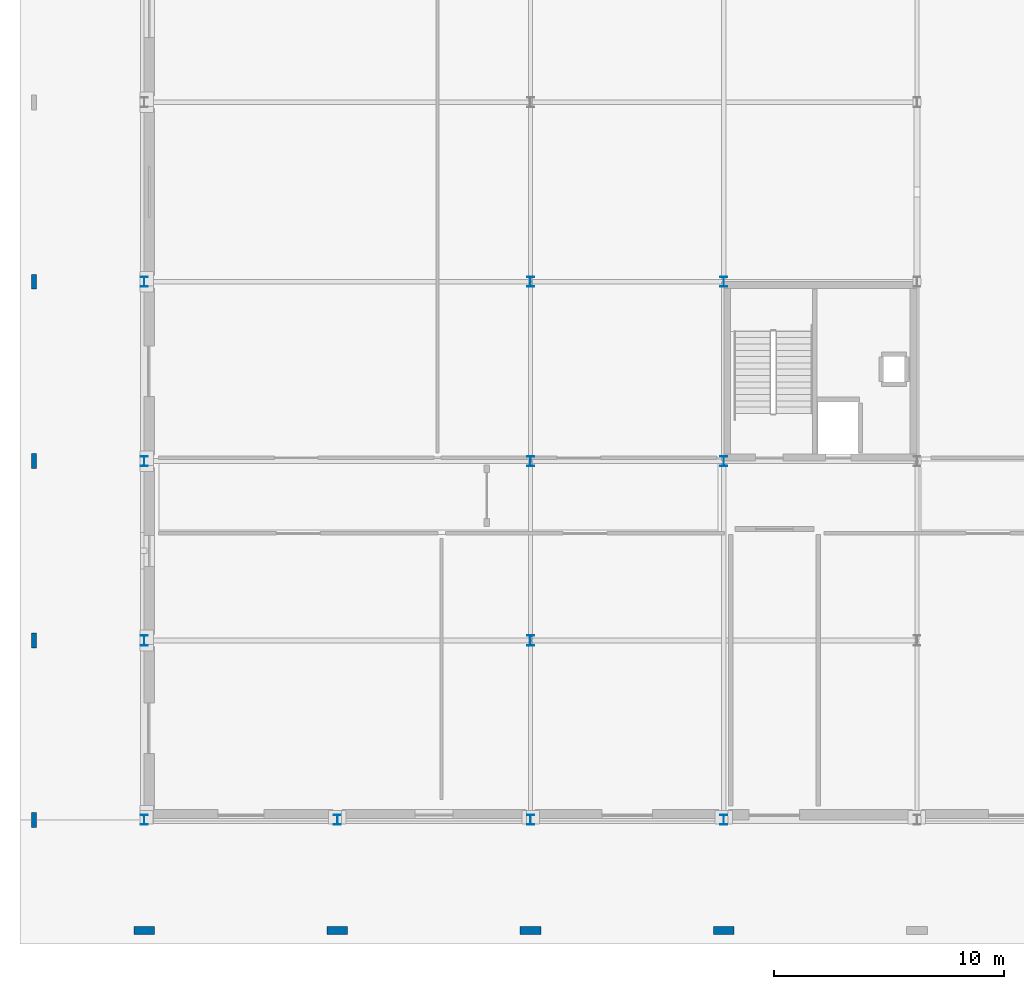
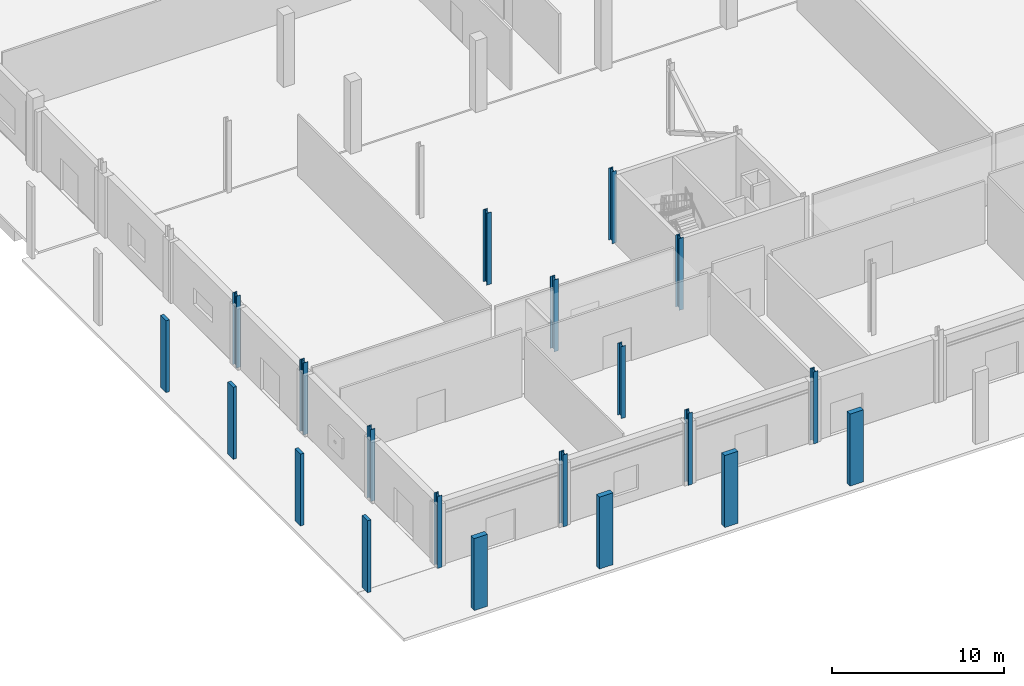
# One storey, part 2 of 80: 20 columns.
"""IFC4 building model written with IfcOpenShell, lengths in metres."""

from ifc_helpers import new_model, si_unit, direction, frame, origin, origin_2d, place, context, subcontext, project, spatial, rectangle, i_section, extrude, material, material_profile, profile_set, type_object, element, save


model = new_model("IFC4")

# Units and contexts
model_context = context("Model", 3, precision=1e-05, world=origin(), true_north=direction((0.0, 1.0)))
body_context = subcontext(model_context, "Body", "Model", "MODEL_VIEW")
ifc_project = project(units=[si_unit("LENGTHUNIT", "METRE"), si_unit("AREAUNIT", "SQUARE_METRE"), si_unit("VOLUMEUNIT", "CUBIC_METRE"), si_unit("PLANEANGLEUNIT", "RADIAN"), si_unit("MASSUNIT", "GRAM", prefix="KILO")], contexts=[model_context])

# Site, building, storey
site_placement = place(None, origin())
site = spatial("IfcSite", under=ifc_project, at=site_placement, CompositionType="ELEMENT")
building_placement = place(site_placement, origin())
building = spatial("IfcBuilding", under=site, at=building_placement, Name="Nabrawat Pavilion Hospital", CompositionType="ELEMENT")
storey_placement = place(building_placement, origin())
storey = spatial("IfcBuildingStorey", under=building, at=storey_placement, Name="L00", CompositionType="ELEMENT", Elevation=0.0)

# Columns
ifc_material_1 = material(Name="Precast concrete C40/50", Category="concrete")
ifc_material_profile_1 = material_profile(ifc_material_1, rectangle(XDim=0.219970703125, YDim=0.64990234375, at=origin_2d()), Name="PC 220x650")
ifc_profile_set_1 = profile_set([ifc_material_profile_1], Name="Precast concrete C40/50")
column_type_1 = type_object("IfcColumnType", Name="Ambulance Canopy Precast Pilaster 220x650", PredefinedType="PILASTER", material=ifc_profile_set_1)
for number, where, z_axis, x_axis, name in (
    (1, (-4.800048828125, 0.0, 0.0), (0.0, 0.0, 1.0), (1.0, 0.0, 0.0), "L00 Colonnade Precast Pilaster PIL-W-A"),
    (2, (-4.800048828125, 7.800048828125, 0.0), (0.0, 0.0, 1.0), (1.0, 0.0, 0.0), "L00 Colonnade Precast Pilaster PIL-W-B"),
    (3, (-4.800048828125, 15.60009765625, 0.0), (0.0, 0.0, 1.0), (1.0, 0.0, 0.0), "L00 Colonnade Precast Pilaster PIL-W-C"),
    (4, (-4.800048828125, 23.39990234375, 0.0), (0.0, 0.0, 1.0), (1.0, 0.0, 0.0), "L00 Colonnade Precast Pilaster PIL-W-D"),
):
    element("IfcColumn", number, at=place(storey_placement, frame(where, z_axis=z_axis, x_axis=x_axis)), inside=storey, type_object=column_type_1, Name=name, PredefinedType="PILASTER", context=body_context, shape_type="SweptSolid", body=[
        extrude(rectangle(XDim=0.219970703125, YDim=0.64990234375, at=origin_2d()), origin(), (0.0, 0.0, 1.0), 5.10009765625),
    ])
ifc_material_2 = material(Name="Steel S355", Category="steel")
ifc_material_profile_2 = material_profile(ifc_material_2, i_section(OverallWidth=0.300048828125, OverallDepth=0.43994140625, WebThickness=0.011474609375, FlangeThickness=0.02099609375, FilletRadius=0.027099609375, at=origin_2d()), Name="HEA 450")
ifc_profile_set_2 = profile_set([ifc_material_profile_2], Name="Steel S355")
column_type_2 = type_object("IfcColumnType", Name="Emergency Wing Steel Column HEA 450", PredefinedType="COLUMN", material=ifc_profile_set_2)
for number, where, z_axis, x_axis, name in (
    (5, (0.0, 0.0, 0.0), (0.0, 0.0, 1.0), (1.0, 0.0, 0.0), "L00 Structural Column G-1-A"),
    (6, (0.0, 7.800048828125, 0.0), (0.0, 0.0, 1.0), (1.0, 0.0, 0.0), "L00 Structural Column G-1-B"),
    (7, (0.0, 15.60009765625, 0.0), (0.0, 0.0, 1.0), (1.0, 0.0, 0.0), "L00 Structural Column G-1-C"),
    (8, (0.0, 23.39990234375, 0.0), (0.0, 0.0, 1.0), (1.0, 0.0, 0.0), "L00 Structural Column G-1-D"),
    (9, (8.39990234375, 0.0, 0.0), (0.0, 0.0, 1.0), (1.0, 0.0, 0.0), "L00 Structural Column G-2-A"),
    (10, (16.800048828125, 0.0, 0.0), (0.0, 0.0, 1.0), (1.0, 0.0, 0.0), "L00 Structural Column G-3-A"),
    (11, (16.800048828125, 7.800048828125, 0.0), (0.0, 0.0, 1.0), (1.0, 0.0, 0.0), "L00 Structural Column G-3-B"),
    (12, (16.800048828125, 15.60009765625, 0.0), (0.0, 0.0, 1.0), (1.0, 0.0, 0.0), "L00 Structural Column G-3-C"),
    (13, (16.800048828125, 23.39990234375, 0.0), (0.0, 0.0, 1.0), (1.0, 0.0, 0.0), "L00 Structural Column G-3-D"),
    (14, (25.199951171875, 0.0, 0.0), (0.0, 0.0, 1.0), (1.0, 0.0, 0.0), "L00 Structural Column G-4-A"),
    (15, (25.199951171875, 15.60009765625, 0.0), (0.0, 0.0, 1.0), (1.0, 0.0, 0.0), "L00 Structural Column G-4-C"),
    (16, (25.199951171875, 23.39990234375, 0.0), (0.0, 0.0, 1.0), (1.0, 0.0, 0.0), "L00 Structural Column G-4-D"),
):
    element("IfcColumn", number, at=place(storey_placement, frame(where, z_axis=z_axis, x_axis=x_axis)), inside=storey, type_object=column_type_2, Name=name, PredefinedType="COLUMN", context=body_context, shape_type="SweptSolid", body=[
        extrude(i_section(OverallWidth=0.300048828125, OverallDepth=0.43994140625, WebThickness=0.011474609375, FlangeThickness=0.02099609375, FilletRadius=0.027099609375, at=origin_2d()), origin(), (0.0, 0.0, 1.0), 5.10009765625),
    ])
ifc_material_profile_3 = material_profile(ifc_material_1, rectangle(XDim=0.35009765625, YDim=0.89990234375, at=origin_2d()), Name="PC 350x900")
ifc_profile_set_3 = profile_set([ifc_material_profile_3], Name="Precast concrete C40/50")
column_type_3 = type_object("IfcColumnType", Name="South Colonnade Precast Pilaster 350x900", PredefinedType="PILASTER", material=ifc_profile_set_3)
for number, where, z_axis, x_axis, name in (
    (17, (0.0, -4.800048828125, 0.0), (0.0, 0.0, 1.0), (0.0, 1.0, 0.0), "L00 Colonnade Precast Pilaster PIL-S-1"),
    (18, (8.39990234375, -4.800048828125, 0.0), (0.0, 0.0, 1.0), (0.0, 1.0, 0.0), "L00 Colonnade Precast Pilaster PIL-S-2"),
    (19, (16.800048828125, -4.800048828125, 0.0), (0.0, 0.0, 1.0), (0.0, 1.0, 0.0), "L00 Colonnade Precast Pilaster PIL-S-3"),
    (20, (25.199951171875, -4.800048828125, 0.0), (0.0, 0.0, 1.0), (0.0, 1.0, 0.0), "L00 Colonnade Precast Pilaster PIL-S-4"),
):
    element("IfcColumn", number, at=place(storey_placement, frame(where, z_axis=z_axis, x_axis=x_axis)), inside=storey, type_object=column_type_3, Name=name, PredefinedType="PILASTER", context=body_context, shape_type="SweptSolid", body=[
        extrude(rectangle(XDim=0.35009765625, YDim=0.89990234375, at=origin_2d()), origin(), (0.0, 0.0, 1.0), 5.10009765625),
    ])

save(model, "model.ifc")
